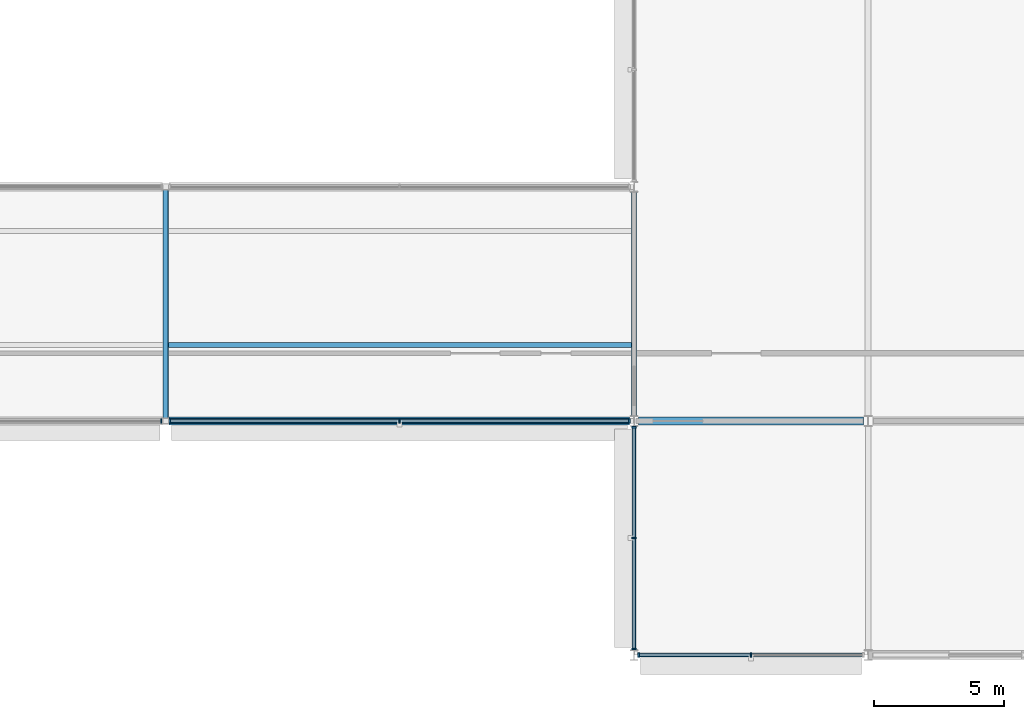
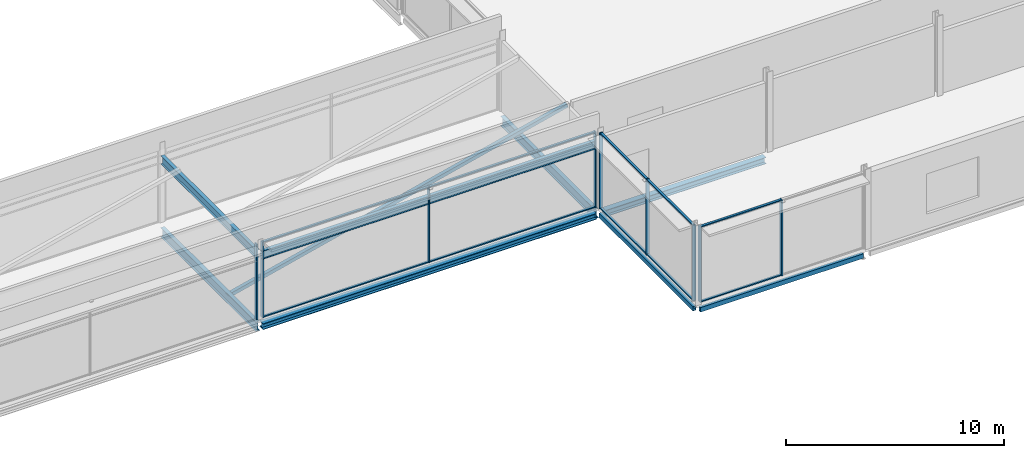
# One storey, part 25 of 73: 20 members, 8 beams, 4 elements without a shape of their own.
"""IFC4 building model written with IfcOpenShell, lengths in metres."""

from ifc_helpers import new_model, si_unit, direction, frame, origin, origin_2d, place, context, subcontext, project, spatial, rectangle, hollow_rectangle, i_section, extrude, material, layer, layer_set, material_profile, profile_set, type_object, element, aggregate, save


model = new_model("IFC4")

# Units and contexts
model_context = context("Model", 3, precision=1e-05, world=origin(), true_north=direction((0.0, 1.0)))
body_context = subcontext(model_context, "Body", "Model", "MODEL_VIEW")
ifc_project = project(units=[si_unit("LENGTHUNIT", "METRE"), si_unit("AREAUNIT", "SQUARE_METRE"), si_unit("VOLUMEUNIT", "CUBIC_METRE"), si_unit("PLANEANGLEUNIT", "RADIAN"), si_unit("MASSUNIT", "GRAM", prefix="KILO")], contexts=[model_context])

# Site, building, storey
site_placement = place(None, origin())
site = spatial("IfcSite", under=ifc_project, at=site_placement, CompositionType="ELEMENT")
building_placement = place(site_placement, origin())
building = spatial("IfcBuilding", under=site, at=building_placement, Name="Kisiwana Market Hall", CompositionType="ELEMENT")
storey_placement = place(building_placement, frame((0.0, 0.0, 33.300048828125)))
storey = spatial("IfcBuildingStorey", under=building, at=storey_placement, Name="L07", CompositionType="ELEMENT", Elevation=33.300048828125)

# Beams
ifc_material_1 = material(Name="Steel S355", Category="steel")
ifc_material_profile_1 = material_profile(ifc_material_1, i_section(OverallWidth=0.300048828125, OverallDepth=0.360107421875, WebThickness=0.012451171875, FlangeThickness=0.0224609375, at=origin_2d()), Name="HEB 360")
ifc_profile_set_1 = profile_set([ifc_material_profile_1], Name="Steel S355")
beam_type_1 = type_object("IfcBeamType", Name="BM-GIRD-HEB360", PredefinedType="BEAM", material=ifc_profile_set_1)
beam_1_placement = place(storey_placement, frame((153.18115234375, 18.0, -0.4599609375), z_axis=(1.0, 0.0, 0.0), x_axis=(0.0, 1.0, 0.0)))
element("IfcBeam", 1, at=beam_1_placement, inside=storey, type_object=beam_type_1, Name="Floor beam B-1973", PredefinedType="BEAM", context=body_context, shape_type="SweptSolid", body=[
    extrude(i_section(OverallWidth=0.300048828125, OverallDepth=0.360107421875, WebThickness=0.012451171875, FlangeThickness=0.0224609375, at=origin_2d()), origin(), (0.0, 0.0, 1.0), 8.6376953125),
])
ifc_material_2 = material(Name="Steel S355", Category="steel")
ifc_material_profile_2 = material_profile(ifc_material_2, i_section(OverallWidth=0.19140625, OverallDepth=0.4599609375, WebThickness=0.010009765625, FlangeThickness=0.01611328125, at=origin_2d()), Name="UB 457x191x82")
ifc_profile_set_2 = profile_set([ifc_material_profile_2], Name="Steel S355")
beam_type_2 = type_object("IfcBeamType", Name="BM-GIRD-UB457H", PredefinedType="BEAM", material=ifc_profile_set_2)
beam_2_placement = place(storey_placement, frame((135.12109375, 18.0, 3.52783203125), z_axis=(1.0, 0.0, 0.0), x_axis=(0.0, 1.0, 0.0)))
element("IfcBeam", 2, at=beam_2_placement, inside=storey, type_object=beam_type_2, Name="Roof girder B-2062", PredefinedType="BEAM", context=body_context, shape_type="SweptSolid", body=[
    extrude(i_section(OverallWidth=0.19140625, OverallDepth=0.4599609375, WebThickness=0.010009765625, FlangeThickness=0.01611328125, at=origin_2d()), origin(), (0.0, 0.0, 1.0), 17.73291015625),
])
beam_3_placement = place(storey_placement, frame((135.0, 18.12109375, 3.52783203125), z_axis=(0.0, 1.0, 0.0), x_axis=(-1.0, 0.0, 0.0)))
element("IfcBeam", 3, at=beam_3_placement, inside=storey, type_object=beam_type_2, Name="Roof girder B-2073", PredefinedType="BEAM", context=body_context, shape_type="SweptSolid", body=[
    extrude(i_section(OverallWidth=0.19140625, OverallDepth=0.4599609375, WebThickness=0.010009765625, FlangeThickness=0.01611328125, at=origin_2d()), origin(), (0.0, 0.0, 1.0), 8.7578125),
])
ifc_material_3 = material(Name="Steel S355", Category="steel")
ifc_material_profile_3 = material_profile(ifc_material_3, i_section(OverallWidth=0.209228515625, OverallDepth=0.533203125, WebThickness=0.010009765625, FlangeThickness=0.015625, at=origin_2d()), Name="UB 533x210x92")
ifc_profile_set_3 = profile_set([ifc_material_profile_3], Name="Steel S355")
beam_type_3 = type_object("IfcBeamType", Name="BM-GIRD-UB533", PredefinedType="BEAM", material=ifc_profile_set_3)
beam_4_placement = place(storey_placement, frame((135.0, 18.12109375, -0.531494140625), z_axis=(0.0, 1.0, 0.0), x_axis=(-1.0, 0.0, 0.0)))
element("IfcBeam", 4, at=beam_4_placement, inside=storey, type_object=beam_type_3, Name="Primary girder B-1907", PredefinedType="BEAM", context=body_context, shape_type="SweptSolid", body=[
    extrude(i_section(OverallWidth=0.209228515625, OverallDepth=0.533203125, WebThickness=0.010009765625, FlangeThickness=0.015625, at=origin_2d()), origin(), (0.0, 0.0, 1.0), 8.7578125),
])
beam_5_placement = place(storey_placement, frame((153.0, 18.177001953125, -0.546630859375), z_axis=(0.0, 1.0, 0.0), x_axis=(-1.0, 0.0, 0.0)))
element("IfcBeam", 5, at=beam_5_placement, inside=storey, type_object=beam_type_3, Name="Primary girder B-1909", PredefinedType="BEAM", context=body_context, shape_type="SweptSolid", body=[
    extrude(i_section(OverallWidth=0.209228515625, OverallDepth=0.533203125, WebThickness=0.010009765625, FlangeThickness=0.015625, at=origin_2d()), origin(), (0.0, 0.0, 1.0), 8.64599609375),
])
ifc_material_4 = material(Name="Steel S355", Category="steel")
ifc_material_profile_4 = material_profile(ifc_material_4, i_section(OverallWidth=0.314453125, OverallDepth=0.33984375, WebThickness=0.01904296875, FlangeThickness=0.031494140625, at=origin_2d()), Name="UC 305x305x198")
ifc_profile_set_4 = profile_set([ifc_material_profile_4], Name="Steel S355")
beam_type_4 = type_object("IfcBeamType", Name="BM-SKYBR-CHORD", PredefinedType="BEAM", material=ifc_profile_set_4)
beam_6_placement = place(storey_placement, frame((135.12109375, 18.0, -0.43505859375), z_axis=(1.0, 0.0, 0.0), x_axis=(0.0, 1.0, 0.0)))
element("IfcBeam", 6, at=beam_6_placement, inside=storey, type_object=beam_type_4, Name="Floor beam B-1972", PredefinedType="BEAM", context=body_context, shape_type="SweptSolid", body=[
    extrude(i_section(OverallWidth=0.314453125, OverallDepth=0.33984375, WebThickness=0.01904296875, FlangeThickness=0.031494140625, at=origin_2d()), origin(), (0.0, 0.0, 1.0), 17.69775390625),
])
ifc_material_5 = material(Name="Steel S355", Category="steel")
ifc_material_profile_5 = material_profile(ifc_material_5, hollow_rectangle(XDim=0.14990234375, YDim=0.25, WallThickness=0.010009765625, at=origin_2d()), Name="RHS 250x150x10.0")
ifc_profile_set_5 = profile_set([ifc_material_profile_5], Name="Steel S355")
beam_type_5 = type_object("IfcBeamType", Name="BM-SPAN-RHS250", PredefinedType="SPANDREL", material=ifc_profile_set_5)
beam_7_placement = place(storey_placement, frame((153.18115234375, 9.0, -0.405029296875), z_axis=(1.0, 0.0, 0.0), x_axis=(0.0, 1.0, 0.0)))
element("IfcBeam", 7, at=beam_7_placement, inside=storey, type_object=beam_type_5, Name="Floor beam B-1959", PredefinedType="SPANDREL", context=body_context, shape_type="SweptSolid", body=[
    extrude(hollow_rectangle(XDim=0.14990234375, YDim=0.25, WallThickness=0.010009765625, at=origin_2d()), origin(), (0.0, 0.0, 1.0), 8.6376953125),
])
beam_8_placement = place(storey_placement, frame((153.0, 9.177001953125, -0.405029296875), z_axis=(0.0, 1.0, 0.0), x_axis=(-1.0, 0.0, 0.0)))
element("IfcBeam", 8, at=beam_8_placement, inside=storey, type_object=beam_type_5, Name="Floor beam B-2043", PredefinedType="SPANDREL", context=body_context, shape_type="SweptSolid", body=[
    extrude(hollow_rectangle(XDim=0.14990234375, YDim=0.25, WallThickness=0.010009765625, at=origin_2d()), origin(), (0.0, 0.0, 1.0), 8.64599609375),
])

# Curtain wall, members
ifc_material_6 = material(Name="Double-glazed solar-control low-E IGU", Category="glass")
ifc_layer = layer(ifc_material_6, 0.159912109375)
ifc_layer_set = layer_set([ifc_layer], Name="CW-BRG-L07-8200")
curtain_wall_type = type_object("IfcCurtainWallType", Name="CW-BRG-L07-8200", PredefinedType="USERDEFINED", material=ifc_layer_set)
curtain_wall_1_placement = place(storey_placement, origin())
curtain_wall_1 = element("IfcCurtainWall", 9, at=curtain_wall_1_placement, inside=storey, type_object=curtain_wall_type, Name="Unitised curtain wall CW-211 (L07)", ObjectType="UNITISED CURTAIN WALL", PredefinedType="USERDEFINED")
ifc_material_7 = material(Name="Aluminium alloy 6063-T6", Category="aluminium")
ifc_material_profile_6 = material_profile(ifc_material_7, rectangle(XDim=0.070068359375, YDim=0.179931640625, at=origin_2d()), Name="ALU MULLION 70x180")
ifc_profile_set_6 = profile_set([ifc_material_profile_6], Name="Aluminium alloy 6063-T6")
member_type_1 = type_object("IfcMemberType", Name="CW-MULL-70x180", PredefinedType="MULLION", material=ifc_profile_set_6)
member_1_placement = place(storey_placement, frame((153.18505859375, 9.0, 0.0), z_axis=(0.0, 0.0, 1.0), x_axis=(1.0, 0.0, 0.0)))
member_1 = element("IfcMember", 10, at=member_1_placement, type_object=member_type_1, Name="CW-211 mullion 1", PredefinedType="MULLION", context=body_context, shape_type="SweptSolid", body=[
    extrude(rectangle(XDim=0.070068359375, YDim=0.179931640625, at=origin_2d()), origin(), (0.0, 0.0, 1.0), 4.2548828125),
])
member_2_placement = place(storey_placement, frame((157.5, 9.0, 0.0), z_axis=(0.0, 0.0, 1.0), x_axis=(1.0, 0.0, 0.0)))
member_2 = element("IfcMember", 11, at=member_2_placement, type_object=member_type_1, Name="CW-211 mullion 2", PredefinedType="MULLION", context=body_context, shape_type="SweptSolid", body=[
    extrude(rectangle(XDim=0.070068359375, YDim=0.179931640625, at=origin_2d()), origin(), (0.0, 0.0, 1.0), 4.2548828125),
])

# Curtain wall, member
curtain_wall_2_placement = place(storey_placement, origin())
curtain_wall_2 = element("IfcCurtainWall", 12, at=curtain_wall_2_placement, inside=storey, type_object=curtain_wall_type, Name="Unitised curtain wall CW-216 (L07)", ObjectType="UNITISED CURTAIN WALL", PredefinedType="USERDEFINED")
member_3_placement = place(storey_placement, frame((134.840087890625, 18.0, 0.0), z_axis=(0.0, 0.0, 1.0), x_axis=(1.0, 0.0, 0.0)))
member_3 = element("IfcMember", 13, at=member_3_placement, type_object=member_type_1, Name="CW-216 mullion 3", PredefinedType="MULLION", context=body_context, shape_type="SweptSolid", body=[
    extrude(rectangle(XDim=0.070068359375, YDim=0.179931640625, at=origin_2d()), origin(), (0.0, 0.0, 1.0), 4.2548828125),
])
aggregate(curtain_wall_2, [member_3])

# Curtain wall, members
curtain_wall_3_placement = place(storey_placement, origin())
curtain_wall_3 = element("IfcCurtainWall", 14, at=curtain_wall_3_placement, inside=storey, type_object=curtain_wall_type, Name="Unitised curtain wall CW-217 (L07)", ObjectType="UNITISED CURTAIN WALL", PredefinedType="USERDEFINED")
member_4_placement = place(storey_placement, frame((135.159912109375, 18.0, 0.0), z_axis=(0.0, 0.0, 1.0), x_axis=(1.0, 0.0, 0.0)))
member_4 = element("IfcMember", 15, at=member_4_placement, type_object=member_type_1, Name="CW-217 mullion 1", PredefinedType="MULLION", context=body_context, shape_type="SweptSolid", body=[
    extrude(rectangle(XDim=0.070068359375, YDim=0.179931640625, at=origin_2d()), origin(), (0.0, 0.0, 1.0), 4.2548828125),
])
member_5_placement = place(storey_placement, frame((143.987548828125, 18.0, 0.0), z_axis=(0.0, 0.0, 1.0), x_axis=(1.0, 0.0, 0.0)))
member_5 = element("IfcMember", 16, at=member_5_placement, type_object=member_type_1, Name="CW-217 mullion 2", PredefinedType="MULLION", context=body_context, shape_type="SweptSolid", body=[
    extrude(rectangle(XDim=0.070068359375, YDim=0.179931640625, at=origin_2d()), origin(), (0.0, 0.0, 1.0), 4.2548828125),
])
member_6_placement = place(storey_placement, frame((152.81494140625, 18.0, 0.0), z_axis=(0.0, 0.0, 1.0), x_axis=(1.0, 0.0, 0.0)))
member_6 = element("IfcMember", 17, at=member_6_placement, type_object=member_type_1, Name="CW-217 mullion 3", PredefinedType="MULLION", context=body_context, shape_type="SweptSolid", body=[
    extrude(rectangle(XDim=0.070068359375, YDim=0.179931640625, at=origin_2d()), origin(), (0.0, 0.0, 1.0), 4.2548828125),
])

curtain_wall_4_placement = place(storey_placement, origin())
curtain_wall_4 = element("IfcCurtainWall", 18, at=curtain_wall_4_placement, inside=storey, type_object=curtain_wall_type, Name="Unitised curtain wall CW-232 (L07)", ObjectType="UNITISED CURTAIN WALL", PredefinedType="USERDEFINED")
member_7_placement = place(storey_placement, frame((153.0, 9.235107421875, 0.0), z_axis=(0.0, 0.0, 1.0), x_axis=(0.0, 1.0, 0.0)))
member_7 = element("IfcMember", 19, at=member_7_placement, type_object=member_type_1, Name="CW-232 mullion 1", PredefinedType="MULLION", context=body_context, shape_type="SweptSolid", body=[
    extrude(rectangle(XDim=0.070068359375, YDim=0.179931640625, at=origin_2d()), origin(), (0.0, 0.0, 1.0), 4.2548828125),
])
member_8_placement = place(storey_placement, frame((153.0, 13.5, 0.0), z_axis=(0.0, 0.0, 1.0), x_axis=(0.0, 1.0, 0.0)))
member_8 = element("IfcMember", 20, at=member_8_placement, type_object=member_type_1, Name="CW-232 mullion 2", PredefinedType="MULLION", context=body_context, shape_type="SweptSolid", body=[
    extrude(rectangle(XDim=0.070068359375, YDim=0.179931640625, at=origin_2d()), origin(), (0.0, 0.0, 1.0), 4.2548828125),
])
member_9_placement = place(storey_placement, frame((153.0, 17.764892578125, 0.0), z_axis=(0.0, 0.0, 1.0), x_axis=(0.0, 1.0, 0.0)))
member_9 = element("IfcMember", 21, at=member_9_placement, type_object=member_type_1, Name="CW-232 mullion 3", PredefinedType="MULLION", context=body_context, shape_type="SweptSolid", body=[
    extrude(rectangle(XDim=0.070068359375, YDim=0.179931640625, at=origin_2d()), origin(), (0.0, 0.0, 1.0), 4.2548828125),
])

# Member
ifc_material_8 = material(Name="Aluminium alloy 6063-T6", Category="aluminium")
ifc_material_profile_7 = material_profile(ifc_material_8, rectangle(XDim=0.1201171875, YDim=0.06005859375, at=origin_2d()), Name="ALU TRANSOM 60x120")
ifc_profile_set_7 = profile_set([ifc_material_profile_7], Name="Aluminium alloy 6063-T6")
member_type_2 = type_object("IfcMemberType", Name="CW-TRAN-60x120", PredefinedType="USERDEFINED", material=ifc_profile_set_7)
member_10_placement = place(storey_placement, frame((153.219970703125, 9.0, 0.030029296875), z_axis=(1.0, 0.0, 0.0), x_axis=(0.0, 1.0, 0.0)))
member_10 = element("IfcMember", 22, at=member_10_placement, type_object=member_type_2, Name="CW-211 transom 1.1", ObjectType="TRANSOM", PredefinedType="USERDEFINED", context=body_context, shape_type="SweptSolid", body=[
    extrude(rectangle(XDim=0.1201171875, YDim=0.06005859375, at=origin_2d()), origin(), (0.0, 0.0, 1.0), 4.2451171875),
])

member_11_placement = place(storey_placement, frame((153.219970703125, 9.0, 4.224853515625), z_axis=(1.0, 0.0, 0.0), x_axis=(0.0, 1.0, 0.0)))
member_11 = element("IfcMember", 23, at=member_11_placement, type_object=member_type_2, Name="CW-211 transom 1.2", ObjectType="TRANSOM", PredefinedType="USERDEFINED", context=body_context, shape_type="SweptSolid", body=[
    extrude(rectangle(XDim=0.1201171875, YDim=0.06005859375, at=origin_2d()), origin(), (0.0, 0.0, 1.0), 4.2451171875),
])

aggregate(curtain_wall_1, [member_1, member_2, member_10, member_11])

member_12_placement = place(storey_placement, frame((135.195068359375, 18.0, 0.030029296875), z_axis=(1.0, 0.0, 0.0), x_axis=(0.0, 1.0, 0.0)))
member_12 = element("IfcMember", 24, at=member_12_placement, type_object=member_type_2, Name="CW-217 transom 1.1", ObjectType="TRANSOM", PredefinedType="USERDEFINED", context=body_context, shape_type="SweptSolid", body=[
    extrude(rectangle(XDim=0.1201171875, YDim=0.06005859375, at=origin_2d()), origin(), (0.0, 0.0, 1.0), 8.75732421875),
])

member_13_placement = place(storey_placement, frame((135.195068359375, 18.0, 4.224853515625), z_axis=(1.0, 0.0, 0.0), x_axis=(0.0, 1.0, 0.0)))
member_13 = element("IfcMember", 25, at=member_13_placement, type_object=member_type_2, Name="CW-217 transom 1.2", ObjectType="TRANSOM", PredefinedType="USERDEFINED", context=body_context, shape_type="SweptSolid", body=[
    extrude(rectangle(XDim=0.1201171875, YDim=0.06005859375, at=origin_2d()), origin(), (0.0, 0.0, 1.0), 8.75732421875),
])

member_14_placement = place(storey_placement, frame((144.0224609375, 18.0, 0.030029296875), z_axis=(1.0, 0.0, 0.0), x_axis=(0.0, 1.0, 0.0)))
member_14 = element("IfcMember", 26, at=member_14_placement, type_object=member_type_2, Name="CW-217 transom 2.1", ObjectType="TRANSOM", PredefinedType="USERDEFINED", context=body_context, shape_type="SweptSolid", body=[
    extrude(rectangle(XDim=0.1201171875, YDim=0.06005859375, at=origin_2d()), origin(), (0.0, 0.0, 1.0), 8.757568359375),
])

member_15_placement = place(storey_placement, frame((144.0224609375, 18.0, 4.224853515625), z_axis=(1.0, 0.0, 0.0), x_axis=(0.0, 1.0, 0.0)))
member_15 = element("IfcMember", 27, at=member_15_placement, type_object=member_type_2, Name="CW-217 transom 2.2", ObjectType="TRANSOM", PredefinedType="USERDEFINED", context=body_context, shape_type="SweptSolid", body=[
    extrude(rectangle(XDim=0.1201171875, YDim=0.06005859375, at=origin_2d()), origin(), (0.0, 0.0, 1.0), 8.757568359375),
])

aggregate(curtain_wall_3, [member_4, member_5, member_6, member_12, member_13, member_14, member_15])

member_16_placement = place(storey_placement, frame((153.0, 9.27001953125, 0.030029296875), z_axis=(0.0, 1.0, 0.0), x_axis=(-1.0, 0.0, 0.0)))
member_16 = element("IfcMember", 28, at=member_16_placement, type_object=member_type_2, Name="CW-232 transom 1.1", ObjectType="TRANSOM", PredefinedType="USERDEFINED", context=body_context, shape_type="SweptSolid", body=[
    extrude(rectangle(XDim=0.1201171875, YDim=0.06005859375, at=origin_2d()), origin(), (0.0, 0.0, 1.0), 4.195068359375),
])

member_17_placement = place(storey_placement, frame((153.0, 9.27001953125, 4.224853515625), z_axis=(0.0, 1.0, 0.0), x_axis=(-1.0, 0.0, 0.0)))
member_17 = element("IfcMember", 29, at=member_17_placement, type_object=member_type_2, Name="CW-232 transom 1.2", ObjectType="TRANSOM", PredefinedType="USERDEFINED", context=body_context, shape_type="SweptSolid", body=[
    extrude(rectangle(XDim=0.1201171875, YDim=0.06005859375, at=origin_2d()), origin(), (0.0, 0.0, 1.0), 4.195068359375),
])

member_18_placement = place(storey_placement, frame((153.0, 13.534912109375, 0.030029296875), z_axis=(0.0, 1.0, 0.0), x_axis=(-1.0, 0.0, 0.0)))
member_18 = element("IfcMember", 30, at=member_18_placement, type_object=member_type_2, Name="CW-232 transom 2.1", ObjectType="TRANSOM", PredefinedType="USERDEFINED", context=body_context, shape_type="SweptSolid", body=[
    extrude(rectangle(XDim=0.1201171875, YDim=0.06005859375, at=origin_2d()), origin(), (0.0, 0.0, 1.0), 4.195068359375),
])

member_19_placement = place(storey_placement, frame((153.0, 13.534912109375, 4.224853515625), z_axis=(0.0, 1.0, 0.0), x_axis=(-1.0, 0.0, 0.0)))
member_19 = element("IfcMember", 31, at=member_19_placement, type_object=member_type_2, Name="CW-232 transom 2.2", ObjectType="TRANSOM", PredefinedType="USERDEFINED", context=body_context, shape_type="SweptSolid", body=[
    extrude(rectangle(XDim=0.1201171875, YDim=0.06005859375, at=origin_2d()), origin(), (0.0, 0.0, 1.0), 4.195068359375),
])

aggregate(curtain_wall_4, [member_7, member_8, member_9, member_16, member_17, member_18, member_19])

ifc_material_9 = material(Name="Steel S355", Category="steel")
ifc_material_profile_8 = material_profile(ifc_material_9, hollow_rectangle(XDim=0.199951171875, YDim=0.199951171875, WallThickness=0.010009765625, at=origin_2d()), Name="SHS 200x200x10.0")
ifc_profile_set_8 = profile_set([ifc_material_profile_8], Name="Steel S355")
member_type_3 = type_object("IfcMemberType", Name="MB-SKY-DIAG200", PredefinedType="BRACE", material=ifc_profile_set_8)
member_20_placement = place(storey_placement, frame((135.0, 20.919921875, -0.5), z_axis=(0.971336371937, 0.0, 0.237709176417), x_axis=(0.0, 1.0, 0.0)))
element("IfcMember", 32, at=member_20_placement, inside=storey, type_object=member_type_3, Name="Skybridge truss diagonal L07 grids 16 to 18 M-0508", PredefinedType="BRACE", context=body_context, shape_type="SweptSolid", body=[
    extrude(hollow_rectangle(XDim=0.199951171875, YDim=0.199951171875, WallThickness=0.010009765625, at=origin_2d()), origin(), (0.0, 0.0, 1.0), 18.53125),
])

save(model, "model.ifc")
